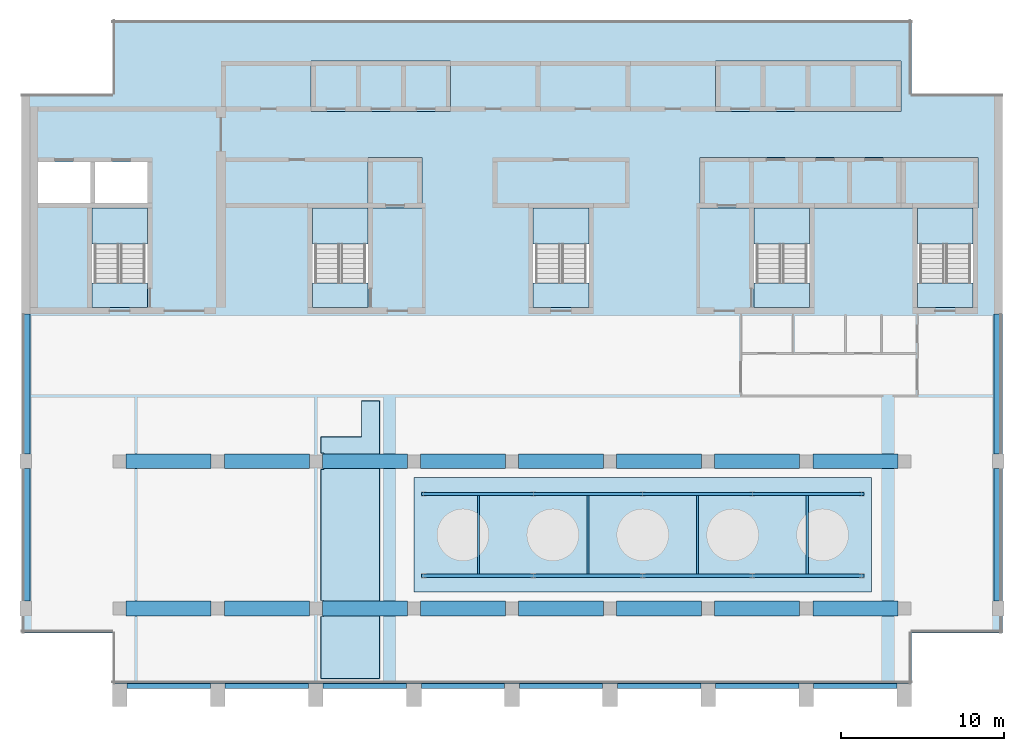
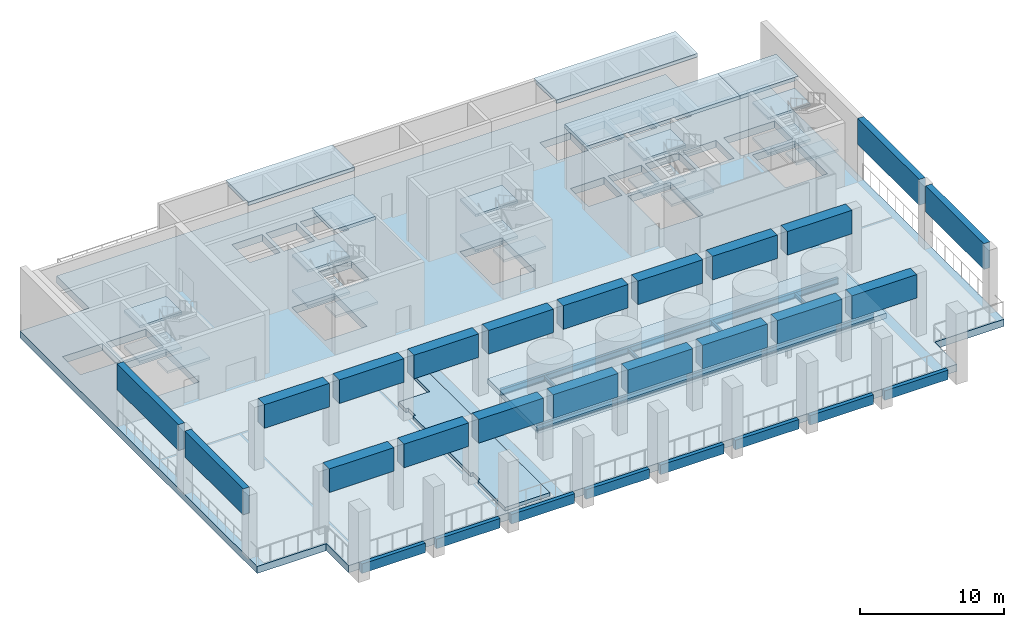
# One storey, part 3 of 11: 34 beams, 23 slabs, 5 elements without a shape of their own.
"""IFC4 building model written with IfcOpenShell, lengths in metres."""

import ifcopenshell
import ifcopenshell.guid

model = None  # the IFC model being written
_history = None  # IfcOwnerHistory: only IFC2X3 demands one
_inside = {}  # id of a spatial element -> (the spatial element, [elements in it])
_under = {}  # id of a project, library or spatial element -> (it, [spatial elements below it])
_declared = {}  # id of a project -> (the project, [libraries it declares])
_typed = {}  # id of a type object -> (the type object, [elements of that type])
_made_of = {}  # id of a material, layer set ... -> (it, [elements and type objects made of it])


def new_model(schema):
    """Start an empty IFC model of exactly this schema.

    Asked for "IFC4X3", IfcOpenShell would pick the latest addendum, in which some entities
    have other attributes; the version numbers below select the first issue.
    IFC2X3 requires an IfcOwnerHistory on every rooted entity: one is made here for all.
    """
    global model, _history
    if schema == "IFC4X3":
        model = ifcopenshell.file(schema_version=(4, 3, 0, 0))
    else:
        model = ifcopenshell.file(schema=schema)
    _inside.clear()
    _under.clear()
    _declared.clear()
    _typed.clear()
    _made_of.clear()
    _history = None
    if model.schema == "IFC2X3":
        org = make("IfcOrganization", Name="unknown")
        user = make(
            "IfcPersonAndOrganization",
            ThePerson=make("IfcPerson", FamilyName="unknown"),
            TheOrganization=org,
        )
        app = make(
            "IfcApplication",
            ApplicationDeveloper=org,
            Version="unknown",
            ApplicationFullName="unknown",
            ApplicationIdentifier="unknown",
        )
        _history = make(
            "IfcOwnerHistory",
            OwningUser=user,
            OwningApplication=app,
            ChangeAction="ADDED",
            CreationDate=0,
        )
    return model


def make(cls, **values):
    """One entity of the class cls with the attributes given. An attribute that is None is left unset."""
    return model.create_entity(
        cls, **{name: value for name, value in values.items() if value is not None}
    )


def rooted(cls, **values):
    """An entity with a GlobalId (a new one), such as an element, a storey or a relation."""
    return make(cls, GlobalId=ifcopenshell.guid.new(), OwnerHistory=_history, **values)


def si_unit(unit_type, name, prefix=None):
    """IfcSIUnit, for example si_unit("LENGTHUNIT", "METRE", prefix="MILLI")."""
    return make("IfcSIUnit", UnitType=unit_type, Prefix=prefix, Name=name)


def assignment(units):
    """IfcUnitAssignment: the units of a project."""
    return None if units is None else make("IfcUnitAssignment", Units=units)


def point(xyz):
    """IfcCartesianPoint."""
    return None if xyz is None else make("IfcCartesianPoint", Coordinates=xyz)


def direction(xyz):
    """IfcDirection."""
    return None if xyz is None else make("IfcDirection", DirectionRatios=xyz)


def frame(location, z_axis=None, x_axis=None):
    """IfcAxis2Placement3D, a coordinate frame: its origin and axes. An axis left out is left unset."""
    return make(
        "IfcAxis2Placement3D",
        Location=point(location),
        Axis=direction(z_axis),
        RefDirection=direction(x_axis),
    )


def frame_2d(location, x_axis=None):
    """IfcAxis2Placement2D, a coordinate frame in the plane: its origin and x axis."""
    return make(
        "IfcAxis2Placement2D", Location=point(location), RefDirection=direction(x_axis)
    )


def origin():
    """The frame at (0, 0, 0) with its axes left unset."""
    return frame((0.0, 0.0, 0.0))


def origin_2d():
    """The frame at (0, 0) in the plane with its x axis left unset."""
    return frame_2d((0.0, 0.0))


def place(relative_to, where):
    """IfcLocalPlacement: puts the frame where relative to a parent placement (None: the world)."""
    return make(
        "IfcLocalPlacement", PlacementRelTo=relative_to, RelativePlacement=where
    )


def context(
    kind, dimensions, precision=None, world=None, true_north=None, identifier=None
):
    """IfcGeometricRepresentationContext, for example the 3D "Model" context."""
    return make(
        "IfcGeometricRepresentationContext",
        ContextIdentifier=identifier,
        ContextType=kind,
        CoordinateSpaceDimension=dimensions,
        Precision=precision,
        WorldCoordinateSystem=world,
        TrueNorth=true_north,
    )


def subcontext(parent, identifier, kind, view, scale=None):
    """IfcGeometricRepresentationSubContext, for example "Body" below "Model"."""
    return make(
        "IfcGeometricRepresentationSubContext",
        ContextIdentifier=identifier,
        ContextType=kind,
        ParentContext=parent,
        TargetScale=scale,
        TargetView=view,
    )


def project(units=None, contexts=None):
    """IfcProject with its units and contexts."""
    return rooted(
        "IfcProject",
        Name="project",
        RepresentationContexts=contexts,
        UnitsInContext=assignment(units),
    )


def spatial(cls, under=None, at=None, **own):
    """A site, building, storey or space (cls), placed at a placement, below another one or the project."""
    s = rooted(cls, ObjectPlacement=at, **own)
    if under is not None:
        _under.setdefault(under.id(), (under, []))[1].append(s)
    return s


def polyline(points):
    """IfcPolyline through the points."""
    return make("IfcPolyline", Points=[point(p) for p in points])


def profile(cls, at=None, kind="AREA", **sizes):
    """A parametric profile (cls). Its sizes go by their IFC names, for example OverallWidth=200.0."""
    return make(cls, ProfileType=kind, Position=at, **sizes)


def rectangle(**sizes):
    """IfcRectangleProfileDef."""
    return profile("IfcRectangleProfileDef", **sizes)


def i_section(**sizes):
    """IfcIShapeProfileDef."""
    return profile("IfcIShapeProfileDef", **sizes)


def outline(outer, holes=None, kind="AREA"):
    """IfcArbitraryClosedProfileDef: a profile drawn as a closed curve; with holes, ...WithVoids."""
    if holes is None:
        return make("IfcArbitraryClosedProfileDef", ProfileType=kind, OuterCurve=outer)
    return make(
        "IfcArbitraryProfileDefWithVoids",
        ProfileType=kind,
        OuterCurve=outer,
        InnerCurves=holes,
    )


def extrude(swept, where, along, depth):
    """IfcExtrudedAreaSolid: the profile swept, set in the frame where, extruded along a direction by depth."""
    return make(
        "IfcExtrudedAreaSolid",
        SweptArea=swept,
        Position=where,
        ExtrudedDirection=direction(along),
        Depth=depth,
    )


def shape(context_of_items, identifier, shape_type, items):
    """IfcShapeRepresentation: the items that make up one representation, for example the "Body"."""
    return make(
        "IfcShapeRepresentation",
        ContextOfItems=context_of_items,
        RepresentationIdentifier=identifier,
        RepresentationType=shape_type,
        Items=items,
    )


def material(Name=None, Category=None):
    """IfcMaterial."""
    return make("IfcMaterial", Name=Name, Category=Category)


def layer(
    of_material, thickness, ventilated=None, Name=None, Category=None, Priority=None
):
    """IfcMaterialLayer: one layer of a wall or slab, of a material (None: an air gap)."""
    return make(
        "IfcMaterialLayer",
        Material=of_material,
        LayerThickness=thickness,
        IsVentilated=ventilated,
        Name=Name,
        Category=Category,
        Priority=Priority,
    )


def layer_set(layers, Name=None):
    """IfcMaterialLayerSet."""
    return make("IfcMaterialLayerSet", MaterialLayers=layers, LayerSetName=Name)


def material_profile(
    of_material, cross_section, Name=None, Category=None, Priority=None
):
    """IfcMaterialProfile: a cross section and its material."""
    return make(
        "IfcMaterialProfile",
        Name=Name,
        Material=of_material,
        Profile=cross_section,
        Priority=Priority,
        Category=Category,
    )


def profile_set(profiles, Name=None, composite=None):
    """IfcMaterialProfileSet."""
    return make(
        "IfcMaterialProfileSet",
        Name=Name,
        MaterialProfiles=profiles,
        CompositeProfile=composite,
    )


def made_of(thing, what):
    """Note that an element or type object is made of a material, layer set ...; save() writes the relation."""
    if what is not None:
        _made_of.setdefault(what.id(), (what, []))[1].append(thing)
    return thing


def type_object(cls, material=None, **own):
    """A type object (cls), such as IfcWallType, which elements share."""
    return made_of(rooted(cls, **own), material)


def element(
    cls,
    number,
    at=None,
    inside=None,
    cuts=None,
    type_object=None,
    material=None,
    context=None,
    identifier="Body",
    shape_type=None,
    held_by="IfcProductDefinitionShape",
    body=None,
    shapes=None,
    **own,
):
    """One element of the class cls, such as IfcWall. Its Tag is "e" and its number.

    at: its placement. inside: the storey or other place that contains it. cuts: it is an
    opening in that element (IfcRelVoidsElement). A single representation is given by context,
    identifier, shape_type and body (its items); several are given by shapes. held_by: the class
    of the entity that holds the representations. save() writes the other relations.
    """
    e = rooted(cls, Tag="e%d" % number, ObjectPlacement=at, **own)
    if body is not None:
        shapes = [shape(context, identifier, shape_type, body)]
    if shapes is not None:
        e.Representation = make(held_by, Representations=shapes)
    if inside is not None:
        _inside.setdefault(inside.id(), (inside, []))[1].append(e)
    if cuts is not None:
        rooted(
            "IfcRelVoidsElement", RelatingBuildingElement=cuts, RelatedOpeningElement=e
        )
    if type_object is not None:
        _typed.setdefault(type_object.id(), (type_object, []))[1].append(e)
    return made_of(e, material)


def aggregate(whole, parts):
    """IfcRelAggregates: a whole, such as a stair, and the parts it consists of."""
    return rooted("IfcRelAggregates", RelatingObject=whole, RelatedObjects=parts)


def save(model, path):
    """Write the relations noted so far, then the file.

    IfcRelAggregates (storeys below a building ...), IfcRelContainedInSpatialStructure (elements
    in a storey), IfcRelDefinesByType, IfcRelAssociatesMaterial and IfcRelDeclares: one each for
    every whole, place, type object, material and project.
    """
    for whole, parts in _under.values():
        aggregate(whole, parts)
    for where, things in _inside.values():
        rooted(
            "IfcRelContainedInSpatialStructure",
            RelatedElements=things,
            RelatingStructure=where,
        )
    for kind, things in _typed.values():
        rooted("IfcRelDefinesByType", RelatedObjects=things, RelatingType=kind)
    for what, things in _made_of.values():
        rooted("IfcRelAssociatesMaterial", RelatedObjects=things, RelatingMaterial=what)
    for by, libraries in _declared.values():
        rooted("IfcRelDeclares", RelatingContext=by, RelatedDefinitions=libraries)
    model.write(path)


model = new_model("IFC4")

# Units and contexts
model_context = context("Model", 3, precision=1e-05, world=origin(), true_north=direction((0.0, 1.0)))
body_context = subcontext(model_context, "Body", "Model", "MODEL_VIEW")
ifc_project = project(units=[si_unit("LENGTHUNIT", "METRE"), si_unit("AREAUNIT", "SQUARE_METRE"), si_unit("VOLUMEUNIT", "CUBIC_METRE"), si_unit("PLANEANGLEUNIT", "RADIAN"), si_unit("MASSUNIT", "GRAM", prefix="KILO")], contexts=[model_context])

# Site, building, storey
site_placement = place(None, origin())
site = spatial("IfcSite", under=ifc_project, at=site_placement, CompositionType="ELEMENT")
building_placement = place(site_placement, origin())
building = spatial("IfcBuilding", under=site, at=building_placement, Name="Calvaro Tower", CompositionType="ELEMENT")
storey_placement = place(building_placement, frame((0.0, 0.0, 265.949951171875)))
storey = spatial("IfcBuildingStorey", under=building, at=storey_placement, Name="L67", CompositionType="ELEMENT", Elevation=265.949951171875)

# Beams
ifc_material_1 = material(Name="Concrete C60/75", Category="concrete")
ifc_material_profile_1 = material_profile(ifc_material_1, rectangle(XDim=0.89990234375, YDim=2.0, at=origin_2d()), Name="RC 900x2000")
ifc_profile_set_1 = profile_set([ifc_material_profile_1], Name="Concrete C60/75")
beam_type_1 = type_object("IfcBeamType", Name="Drum girder 900x2000 C60/75", PredefinedType="BEAM", material=ifc_profile_set_1)
for number, where, z_axis, x_axis, name in (
    (1, (12.39990234375, 10.0, 4.400146484375), (1.0, 0.0, 0.0), (0.0, 1.0, 0.0), "Drum girder"),
    (2, (18.39990234375, 10.0, 4.400146484375), (1.0, 0.0, 0.0), (0.0, 1.0, 0.0), "Drum girder"),
    (3, (24.39990234375, 10.0, 4.400146484375), (1.0, 0.0, 0.0), (0.0, 1.0, 0.0), "Drum girder"),
    (4, (30.39990234375, 10.0, 4.400146484375), (1.0, 0.0, 0.0), (0.0, 1.0, 0.0), "Drum girder"),
    (5, (36.39990234375, 10.0, 4.400146484375), (1.0, 0.0, 0.0), (0.0, 1.0, 0.0), "Drum girder"),
    (6, (42.39990234375, 10.0, 4.400146484375), (1.0, 0.0, 0.0), (0.0, 1.0, 0.0), "Drum girder"),
    (7, (48.39990234375, 10.0, 4.400146484375), (1.0, 0.0, 0.0), (0.0, 1.0, 0.0), "Drum girder"),
    (8, (54.39990234375, 10.0, 4.400146484375), (1.0, 0.0, 0.0), (0.0, 1.0, 0.0), "Drum girder"),
    (9, (12.39990234375, 19.0, 4.400146484375), (1.0, 0.0, 0.0), (0.0, 1.0, 0.0), "Drum girder"),
    (10, (18.39990234375, 19.0, 4.400146484375), (1.0, 0.0, 0.0), (0.0, 1.0, 0.0), "Drum girder"),
    (11, (24.39990234375, 19.0, 4.400146484375), (1.0, 0.0, 0.0), (0.0, 1.0, 0.0), "Drum girder"),
    (12, (30.39990234375, 19.0, 4.400146484375), (1.0, 0.0, 0.0), (0.0, 1.0, 0.0), "Drum girder"),
    (13, (36.39990234375, 19.0, 4.400146484375), (1.0, 0.0, 0.0), (0.0, 1.0, 0.0), "Drum girder"),
    (14, (42.39990234375, 19.0, 4.400146484375), (1.0, 0.0, 0.0), (0.0, 1.0, 0.0), "Drum girder"),
    (15, (48.39990234375, 19.0, 4.400146484375), (1.0, 0.0, 0.0), (0.0, 1.0, 0.0), "Drum girder"),
    (16, (54.39990234375, 19.0, 4.400146484375), (1.0, 0.0, 0.0), (0.0, 1.0, 0.0), "Drum girder"),
):
    element("IfcBeam", number, at=place(storey_placement, frame(where, z_axis=z_axis, x_axis=x_axis)), inside=storey, type_object=beam_type_1, Name=name, PredefinedType="BEAM", context=body_context, shape_type="SweptSolid", body=[
        extrude(rectangle(XDim=0.89990234375, YDim=2.0, at=origin_2d()), origin(), (0.0, 0.0, 1.0), 5.2001953125),
    ])
ifc_material_2 = material(Name="Steel S355", Category="steel")
ifc_material_profile_2 = material_profile(ifc_material_2, i_section(OverallWidth=0.14990234375, OverallDepth=0.300048828125, WebThickness=0.007080078125, FlangeThickness=0.0107421875, FilletRadius=0.014892578125, at=origin_2d()), Name="IPE 300")
ifc_profile_set_2 = profile_set([ifc_material_profile_2], Name="Steel S355")
beam_type_2 = type_object("IfcBeamType", Name="Platform cross beam IPE 300", PredefinedType="BEAM", material=ifc_profile_set_2)
for number, where, z_axis, x_axis, name in (
    (17, (33.949951171875, 12.10009765625, 1.199951171875), (0.0, 1.0, 0.0), (-1.0, 0.0, 0.0), "Platform cross beam"),
    (18, (40.64990234375, 12.10009765625, 1.199951171875), (0.0, 1.0, 0.0), (-1.0, 0.0, 0.0), "Platform cross beam"),
    (19, (47.35009765625, 12.10009765625, 1.199951171875), (0.0, 1.0, 0.0), (-1.0, 0.0, 0.0), "Platform cross beam"),
    (20, (54.050048828125, 12.10009765625, 1.199951171875), (0.0, 1.0, 0.0), (-1.0, 0.0, 0.0), "Platform cross beam"),
):
    element("IfcBeam", number, at=place(storey_placement, frame(where, z_axis=z_axis, x_axis=x_axis)), inside=storey, type_object=beam_type_2, Name=name, PredefinedType="BEAM", context=body_context, shape_type="SweptSolid", body=[
        extrude(i_section(OverallWidth=0.14990234375, OverallDepth=0.300048828125, WebThickness=0.007080078125, FlangeThickness=0.0107421875, FilletRadius=0.014892578125, at=origin_2d()), origin(), (0.0, 0.0, 1.0), 4.7998046875),
    ])
ifc_material_3 = material(Name="Steel S355", Category="steel")
ifc_material_profile_3 = material_profile(ifc_material_3, i_section(OverallWidth=0.199951171875, OverallDepth=0.5, WebThickness=0.01025390625, FlangeThickness=0.01611328125, FilletRadius=0.02099609375, at=origin_2d()), Name="IPE 500")
ifc_profile_set_3 = profile_set([ifc_material_profile_3], Name="Steel S355")
beam_type_3 = type_object("IfcBeamType", Name="Platform girder IPE 500", PredefinedType="BEAM", material=ifc_profile_set_3)
for number, where, z_axis, x_axis, name in (
    (21, (30.449951171875, 12.0, 1.10009765625), (1.0, 0.0, 0.0), (0.0, 1.0, 0.0), "Platform girder"),
    (22, (30.449951171875, 17.0, 1.10009765625), (1.0, 0.0, 0.0), (0.0, 1.0, 0.0), "Platform girder"),
):
    element("IfcBeam", number, at=place(storey_placement, frame(where, z_axis=z_axis, x_axis=x_axis)), inside=storey, type_object=beam_type_3, Name=name, PredefinedType="BEAM", context=body_context, shape_type="SweptSolid", body=[
        extrude(i_section(OverallWidth=0.199951171875, OverallDepth=0.5, WebThickness=0.01025390625, FlangeThickness=0.01611328125, FilletRadius=0.02099609375, at=origin_2d()), origin(), (0.0, 0.0, 1.0), 27.10009765625),
    ])
ifc_material_4 = material(Name="Concrete C60/75", Category="concrete")
ifc_material_profile_4 = material_profile(ifc_material_4, rectangle(XDim=0.5, YDim=2.199951171875, at=origin_2d()), Name="RC 500x2200")
ifc_profile_set_4 = profile_set([ifc_material_profile_4], Name="Concrete C60/75")
beam_type_4 = type_object("IfcBeamType", Name="Portal lintel 500x2200 C60/75", PredefinedType="BEAM", material=ifc_profile_set_4)
beam_1_placement = place(storey_placement, frame((6.25, 10.449951171875, 4.300048828125), z_axis=(0.0, 1.0, 0.0), x_axis=(-1.0, 0.0, 0.0)))
element("IfcBeam", 23, at=beam_1_placement, inside=storey, type_object=beam_type_4, Name="Portal lintel beam", PredefinedType="BEAM", context=body_context, shape_type="SweptSolid", body=[
    extrude(rectangle(XDim=0.5, YDim=2.199951171875, at=origin_2d()), origin(), (0.0, 0.0, 1.0), 8.10009765625),
])
beam_2_placement = place(storey_placement, frame((6.25, 19.449951171875, 4.300048828125), z_axis=(0.0, 1.0, 0.0), x_axis=(-1.0, 0.0, 0.0)))
element("IfcBeam", 24, at=beam_2_placement, inside=storey, type_object=beam_type_4, Name="Portal lintel beam", PredefinedType="BEAM", context=body_context, shape_type="SweptSolid", body=[
    extrude(rectangle(XDim=0.5, YDim=2.199951171875, at=origin_2d()), origin(), (0.0, 0.0, 1.0), 8.550048828125),
])
beam_3_placement = place(storey_placement, frame((65.75, 10.449951171875, 4.300048828125), z_axis=(0.0, 1.0, 0.0), x_axis=(-1.0, 0.0, 0.0)))
element("IfcBeam", 25, at=beam_3_placement, inside=storey, type_object=beam_type_4, Name="Portal lintel beam", PredefinedType="BEAM", context=body_context, shape_type="SweptSolid", body=[
    extrude(rectangle(XDim=0.5, YDim=2.199951171875, at=origin_2d()), origin(), (0.0, 0.0, 1.0), 8.10009765625),
])
beam_4_placement = place(storey_placement, frame((65.75, 19.449951171875, 4.300048828125), z_axis=(0.0, 1.0, 0.0), x_axis=(-1.0, 0.0, 0.0)))
element("IfcBeam", 26, at=beam_4_placement, inside=storey, type_object=beam_type_4, Name="Portal lintel beam", PredefinedType="BEAM", context=body_context, shape_type="SweptSolid", body=[
    extrude(rectangle(XDim=0.5, YDim=2.199951171875, at=origin_2d()), origin(), (0.0, 0.0, 1.0), 8.550048828125),
])
ifc_material_5 = material(Name="Concrete C50/60 precast", Category="concrete")
ifc_material_profile_5 = material_profile(ifc_material_5, rectangle(XDim=0.300048828125, YDim=0.800048828125, at=origin_2d()), Name="RC 300x800")
ifc_profile_set_5 = profile_set([ifc_material_profile_5], Name="Concrete C50/60 precast")
beam_type_5 = type_object("IfcBeamType", Name="Spandrel beam 300x800 C50/60", PredefinedType="SPANDREL", material=ifc_profile_set_5)
for number, where, z_axis, x_axis, name in (
    (27, (12.449951171875, 5.25, -0.39990234375), (1.0, 0.0, 0.0), (0.0, 1.0, 0.0), "Spandrel beam"),
    (28, (18.449951171875, 5.25, -0.39990234375), (1.0, 0.0, 0.0), (0.0, 1.0, 0.0), "Spandrel beam"),
    (29, (24.449951171875, 5.25, -0.39990234375), (1.0, 0.0, 0.0), (0.0, 1.0, 0.0), "Spandrel beam"),
    (30, (30.449951171875, 5.25, -0.39990234375), (1.0, 0.0, 0.0), (0.0, 1.0, 0.0), "Spandrel beam"),
    (31, (36.449951171875, 5.25, -0.39990234375), (1.0, 0.0, 0.0), (0.0, 1.0, 0.0), "Spandrel beam"),
    (32, (42.449951171875, 5.25, -0.39990234375), (1.0, 0.0, 0.0), (0.0, 1.0, 0.0), "Spandrel beam"),
    (33, (48.449951171875, 5.25, -0.39990234375), (1.0, 0.0, 0.0), (0.0, 1.0, 0.0), "Spandrel beam"),
    (34, (54.449951171875, 5.25, -0.39990234375), (1.0, 0.0, 0.0), (0.0, 1.0, 0.0), "Spandrel beam"),
):
    element("IfcBeam", number, at=place(storey_placement, frame(where, z_axis=z_axis, x_axis=x_axis)), inside=storey, type_object=beam_type_5, Name=name, PredefinedType="SPANDREL", context=body_context, shape_type="SweptSolid", body=[
        extrude(rectangle(XDim=0.300048828125, YDim=0.800048828125, at=origin_2d()), origin(), (0.0, 0.0, 1.0), 5.10009765625),
    ])

# Slabs
ifc_material_6 = material(Name="Concrete C40/50", Category="concrete")
ifc_layer_1 = layer(ifc_material_6, 0.60009765625)
ifc_layer_set_1 = layer_set([ifc_layer_1], Name="Concrete C40/50")
slab_type_1 = type_object("IfcSlabType", Name="Floor slab 600 C40/50", PredefinedType="FLOOR", material=ifc_layer_set_1)
slab_1_placement = place(storey_placement, frame((0.0, 0.0, -0.599853515625)))
element("IfcSlab", 35, at=slab_1_placement, inside=storey, type_object=slab_type_1, Name="Floor slab", PredefinedType="FLOOR", context=body_context, shape_type="SweptSolid", body=[
    extrude(outline(polyline([(60.449951171875, 8.5), (60.449951171875, 5.39990234375), (11.550048828125, 5.39990234375), (11.550048828125, 8.5), (6.0, 8.5), (6.0, 41.5), (11.550048828125, 41.5), (11.550048828125, 46.0), (60.449951171875, 46.0), (60.449951171875, 41.5), (66.0, 41.5), (66.0, 8.5), (60.449951171875, 8.5)]), holes=[polyline([(10.300048828125, 29.909912109375), (10.300048828125, 34.5), (12.0, 34.5), (13.699951171875, 34.5), (13.699951171875, 29.909912109375), (12.0, 29.909912109375), (10.300048828125, 29.909912109375)]), polyline([(23.800048828125, 29.909912109375), (23.800048828125, 34.5), (25.5, 34.5), (27.199951171875, 34.5), (27.199951171875, 29.909912109375), (25.5, 29.909912109375), (23.800048828125, 29.909912109375)]), polyline([(37.300048828125, 29.909912109375), (37.300048828125, 34.5), (39.0, 34.5), (40.699951171875, 34.5), (40.699951171875, 29.909912109375), (39.0, 29.909912109375), (37.300048828125, 29.909912109375)]), polyline([(50.800048828125, 29.909912109375), (50.800048828125, 34.5), (52.5, 34.5), (54.199951171875, 34.5), (54.199951171875, 29.909912109375), (52.5, 29.909912109375), (50.800048828125, 29.909912109375)]), polyline([(60.800048828125, 29.909912109375), (60.800048828125, 34.5), (62.5, 34.5), (64.199951171875, 34.5), (64.199951171875, 29.909912109375), (62.5, 29.909912109375), (60.800048828125, 29.909912109375)]), polyline([(50.800048828125, 34.800048828125), (53.5, 34.800048828125), (53.5, 37.300048828125), (50.800048828125, 37.300048828125), (50.800048828125, 34.800048828125)]), polyline([(53.800048828125, 34.800048828125), (56.5, 34.800048828125), (56.5, 37.300048828125), (53.800048828125, 37.300048828125), (53.800048828125, 34.800048828125)]), polyline([(56.800048828125, 34.800048828125), (59.5, 34.800048828125), (59.5, 37.300048828125), (56.800048828125, 37.300048828125), (56.800048828125, 34.800048828125)]), polyline([(24.0, 40.699951171875), (26.449951171875, 40.699951171875), (26.449951171875, 43.199951171875), (24.0, 43.199951171875), (24.0, 40.699951171875)]), polyline([(26.75, 40.699951171875), (29.199951171875, 40.699951171875), (29.199951171875, 43.199951171875), (26.75, 43.199951171875), (26.75, 40.699951171875)]), polyline([(29.5, 40.699951171875), (31.949951171875, 40.699951171875), (31.949951171875, 43.199951171875), (29.5, 43.199951171875), (29.5, 40.699951171875)]), polyline([(48.75, 40.699951171875), (51.199951171875, 40.699951171875), (51.199951171875, 43.199951171875), (48.75, 43.199951171875), (48.75, 40.699951171875)]), polyline([(51.5, 40.699951171875), (53.949951171875, 40.699951171875), (53.949951171875, 43.199951171875), (51.5, 43.199951171875), (51.5, 40.699951171875)]), polyline([(54.25, 40.699951171875), (56.699951171875, 40.699951171875), (56.699951171875, 43.199951171875), (54.25, 43.199951171875), (54.25, 40.699951171875)]), polyline([(57.0, 40.699951171875), (59.5, 40.699951171875), (59.5, 43.199951171875), (57.0, 43.199951171875), (57.0, 40.699951171875)]), polyline([(7.0, 34.800048828125), (10.199951171875, 34.800048828125), (10.199951171875, 37.300048828125), (7.0, 37.300048828125), (7.0, 34.800048828125)]), polyline([(10.5, 34.800048828125), (13.699951171875, 34.800048828125), (13.699951171875, 37.300048828125), (10.5, 37.300048828125), (10.5, 34.800048828125)]), polyline([(60.10009765625, 34.800048828125), (64.199951171875, 34.800048828125), (64.199951171875, 37.300048828125), (60.10009765625, 37.300048828125), (60.10009765625, 34.800048828125)]), polyline([(27.5, 34.800048828125), (30.199951171875, 34.800048828125), (30.199951171875, 37.300048828125), (27.5, 37.300048828125), (27.5, 34.800048828125)]), polyline([(47.800048828125, 34.800048828125), (50.5, 34.800048828125), (50.5, 37.300048828125), (47.800048828125, 37.300048828125), (47.800048828125, 34.800048828125)])]), origin(), (0.0, 0.0, 1.0), 0.599853515625),
])
ifc_material_7 = material(Name="Concrete C40/50", Category="concrete")
ifc_layer_2 = layer(ifc_material_7, 0.300048828125)
ifc_layer_set_2 = layer_set([ifc_layer_2], Name="Concrete C40/50")
slab_type_2 = type_object("IfcSlabType", Name="Lift overrun roof", PredefinedType="ROOF", material=ifc_layer_set_2)
slab_2_placement = place(storey_placement, frame((0.0, 0.0, 5.10009765625)))
element("IfcSlab", 36, at=slab_2_placement, inside=storey, type_object=slab_type_2, Name="Lift overrun roof", PredefinedType="ROOF", context=body_context, shape_type="SweptSolid", body=[
    extrude(outline(polyline([(59.800048828125, 37.60009765625), (64.5, 37.60009765625), (64.5, 34.5), (59.800048828125, 34.5), (59.800048828125, 37.60009765625)])), origin(), (0.0, 0.0, 1.0), 0.300048828125),
])
slab_3_placement = place(storey_placement, frame((0.0, 0.0, 5.10009765625)))
element("IfcSlab", 37, at=slab_3_placement, inside=storey, type_object=slab_type_2, Name="Lift overrun roof", PredefinedType="ROOF", context=body_context, shape_type="SweptSolid", body=[
    extrude(outline(polyline([(59.800048828125, 34.5), (50.800048828125, 34.5), (50.5, 34.5), (47.5, 34.5), (47.5, 37.60009765625), (50.5, 37.60009765625), (50.800048828125, 37.60009765625), (59.800048828125, 37.60009765625), (59.800048828125, 34.5)])), origin(), (0.0, 0.0, 1.0), 0.300048828125),
])
slab_4_placement = place(storey_placement, frame((0.0, 0.0, 5.10009765625)))
element("IfcSlab", 38, at=slab_4_placement, inside=storey, type_object=slab_type_2, Name="Lift overrun roof", PredefinedType="ROOF", context=body_context, shape_type="SweptSolid", body=[
    extrude(outline(polyline([(59.800048828125, 43.5), (59.800048828125, 40.39990234375), (48.449951171875, 40.39990234375), (48.449951171875, 43.5), (59.800048828125, 43.5)])), origin(), (0.0, 0.0, 1.0), 0.300048828125),
])
slab_5_placement = place(storey_placement, frame((0.0, 0.0, 5.10009765625)))
element("IfcSlab", 39, at=slab_5_placement, inside=storey, type_object=slab_type_2, Name="Lift overrun roof", PredefinedType="ROOF", context=body_context, shape_type="SweptSolid", body=[
    extrude(outline(polyline([(32.25, 43.5), (32.25, 40.39990234375), (23.699951171875, 40.39990234375), (23.699951171875, 43.5), (32.25, 43.5)])), origin(), (0.0, 0.0, 1.0), 0.300048828125),
])
slab_6_placement = place(storey_placement, frame((0.0, 0.0, 5.10009765625)))
element("IfcSlab", 40, at=slab_6_placement, inside=storey, type_object=slab_type_2, Name="Lift overrun roof", PredefinedType="ROOF", context=body_context, shape_type="SweptSolid", body=[
    extrude(outline(polyline([(27.199951171875, 37.60009765625), (30.5, 37.60009765625), (30.5, 34.5), (27.199951171875, 34.5), (27.199951171875, 37.60009765625)])), origin(), (0.0, 0.0, 1.0), 0.300048828125),
])
ifc_material_8 = material(Name="Concrete C32/40", Category="concrete")
ifc_layer_3 = layer(ifc_material_8, 0.300048828125)
ifc_layer_set_3 = layer_set([ifc_layer_3], Name="Concrete C32/40")
slab_type_3 = type_object("IfcSlabType", Name="Raised floor slab", PredefinedType="FLOOR", material=ifc_layer_set_3)
slab_7_placement = place(storey_placement, origin())
element("IfcSlab", 41, at=slab_7_placement, inside=storey, type_object=slab_type_3, Name="Observation step", PredefinedType="FLOOR", context=body_context, shape_type="SweptSolid", body=[
    extrude(outline(polyline([(27.89990234375, 5.699951171875), (24.300048828125, 5.699951171875), (24.300048828125, 9.5), (24.5, 9.5), (24.5, 10.5), (24.300048828125, 10.5), (24.300048828125, 18.5), (24.5, 18.5), (24.5, 19.5), (24.300048828125, 19.5), (24.300048828125, 20.5), (26.800048828125, 20.5), (26.800048828125, 22.699951171875), (27.89990234375, 22.699951171875), (27.89990234375, 5.699951171875)])), origin(), (0.0, 0.0, 1.0), 0.300048828125),
])

# Stair, slabs
ifc_material_9 = material(Name="Concrete C40/50", Category="concrete")
stair_type = type_object("IfcStairType", Name="Exit stair 1400 4 flights", PredefinedType="DOUBLE_RETURN_STAIR", material=ifc_material_9)
stair_1_placement = place(storey_placement, origin())
stair_1 = element("IfcStair", 42, at=stair_1_placement, inside=storey, type_object=stair_type, Name="Exit stair S1", PredefinedType="DOUBLE_RETURN_STAIR")
ifc_material_10 = material(Name="Concrete C40/50", Category="concrete")
ifc_layer_4 = layer(ifc_material_10, 0.199951171875)
ifc_layer_set_4 = layer_set([ifc_layer_4], Name="Concrete C40/50")
slab_type_4 = type_object("IfcSlabType", Name="Stair landing", PredefinedType="LANDING", material=ifc_layer_set_4)
slab_8_placement = place(storey_placement, frame((0.0, 0.0, 1.300048828125)))
slab_8 = element("IfcSlab", 43, at=slab_8_placement, type_object=slab_type_4, Name="Exit stair 1, landing 1", PredefinedType="LANDING", context=body_context, shape_type="SweptSolid", body=[
    extrude(outline(polyline([(11.89990234375, 32.2900390625), (10.5, 32.2900390625), (10.5, 32.300048828125), (10.300048828125, 32.300048828125), (10.300048828125, 34.5), (10.5, 34.5), (11.89990234375, 34.5), (12.10009765625, 34.5), (13.5, 34.5), (13.699951171875, 34.5), (13.699951171875, 32.300048828125), (13.5, 32.300048828125), (13.5, 32.2900390625), (12.10009765625, 32.2900390625), (12.10009765625, 32.300048828125), (11.89990234375, 32.300048828125), (11.89990234375, 32.2900390625)])), origin(), (0.0, 0.0, 1.0), 0.199951171875),
])
slab_9_placement = place(storey_placement, frame((0.0, 0.0, 2.800048828125)))
slab_9 = element("IfcSlab", 44, at=slab_9_placement, type_object=slab_type_4, Name="Exit stair 1, landing 2", PredefinedType="LANDING", context=body_context, shape_type="SweptSolid", body=[
    extrude(outline(polyline([(13.699951171875, 29.909912109375), (13.699951171875, 28.39990234375), (10.300048828125, 28.39990234375), (10.300048828125, 29.909912109375), (10.5, 29.909912109375), (11.89990234375, 29.909912109375), (13.699951171875, 29.909912109375)])), origin(), (0.0, 0.0, 1.0), 0.199951171875),
])
slab_10_placement = place(storey_placement, frame((0.0, 0.0, 4.300048828125)))
slab_10 = element("IfcSlab", 45, at=slab_10_placement, type_object=slab_type_4, Name="Exit stair 1, landing 3", PredefinedType="LANDING", context=body_context, shape_type="SweptSolid", body=[
    extrude(outline(polyline([(11.89990234375, 32.2900390625), (10.5, 32.2900390625), (10.5, 32.300048828125), (10.300048828125, 32.300048828125), (10.300048828125, 34.5), (10.5, 34.5), (11.89990234375, 34.5), (12.10009765625, 34.5), (13.5, 34.5), (13.699951171875, 34.5), (13.699951171875, 32.300048828125), (13.5, 32.300048828125), (13.5, 32.2900390625), (12.10009765625, 32.2900390625), (12.10009765625, 32.300048828125), (11.89990234375, 32.300048828125), (11.89990234375, 32.2900390625)])), origin(), (0.0, 0.0, 1.0), 0.199951171875),
])
aggregate(stair_1, [slab_8, slab_9, slab_10])

stair_2_placement = place(storey_placement, origin())
stair_2 = element("IfcStair", 46, at=stair_2_placement, inside=storey, type_object=stair_type, Name="Exit stair S2", PredefinedType="DOUBLE_RETURN_STAIR")
slab_11_placement = place(storey_placement, frame((0.0, 0.0, 1.300048828125)))
slab_11 = element("IfcSlab", 47, at=slab_11_placement, type_object=slab_type_4, Name="Exit stair 2, landing 1", PredefinedType="LANDING", context=body_context, shape_type="SweptSolid", body=[
    extrude(outline(polyline([(25.39990234375, 32.2900390625), (24.0, 32.2900390625), (24.0, 32.300048828125), (23.800048828125, 32.300048828125), (23.800048828125, 34.5), (24.0, 34.5), (25.39990234375, 34.5), (25.60009765625, 34.5), (27.0, 34.5), (27.199951171875, 34.5), (27.199951171875, 32.300048828125), (27.0, 32.300048828125), (27.0, 32.2900390625), (25.60009765625, 32.2900390625), (25.60009765625, 32.300048828125), (25.39990234375, 32.300048828125), (25.39990234375, 32.2900390625)])), origin(), (0.0, 0.0, 1.0), 0.199951171875),
])
slab_12_placement = place(storey_placement, frame((0.0, 0.0, 2.800048828125)))
slab_12 = element("IfcSlab", 48, at=slab_12_placement, type_object=slab_type_4, Name="Exit stair 2, landing 2", PredefinedType="LANDING", context=body_context, shape_type="SweptSolid", body=[
    extrude(outline(polyline([(27.199951171875, 29.909912109375), (27.199951171875, 28.39990234375), (23.800048828125, 28.39990234375), (23.800048828125, 29.909912109375), (24.0, 29.909912109375), (25.39990234375, 29.909912109375), (27.199951171875, 29.909912109375)])), origin(), (0.0, 0.0, 1.0), 0.199951171875),
])
slab_13_placement = place(storey_placement, frame((0.0, 0.0, 4.300048828125)))
slab_13 = element("IfcSlab", 49, at=slab_13_placement, type_object=slab_type_4, Name="Exit stair 2, landing 3", PredefinedType="LANDING", context=body_context, shape_type="SweptSolid", body=[
    extrude(outline(polyline([(25.39990234375, 32.2900390625), (24.0, 32.2900390625), (24.0, 32.300048828125), (23.800048828125, 32.300048828125), (23.800048828125, 34.5), (24.0, 34.5), (25.39990234375, 34.5), (25.60009765625, 34.5), (27.0, 34.5), (27.199951171875, 34.5), (27.199951171875, 32.300048828125), (27.0, 32.300048828125), (27.0, 32.2900390625), (25.60009765625, 32.2900390625), (25.60009765625, 32.300048828125), (25.39990234375, 32.300048828125), (25.39990234375, 32.2900390625)])), origin(), (0.0, 0.0, 1.0), 0.199951171875),
])
aggregate(stair_2, [slab_11, slab_12, slab_13])

stair_3_placement = place(storey_placement, origin())
stair_3 = element("IfcStair", 50, at=stair_3_placement, inside=storey, type_object=stair_type, Name="Exit stair S3", PredefinedType="DOUBLE_RETURN_STAIR")
slab_14_placement = place(storey_placement, frame((0.0, 0.0, 1.300048828125)))
slab_14 = element("IfcSlab", 51, at=slab_14_placement, type_object=slab_type_4, Name="Exit stair 3, landing 1", PredefinedType="LANDING", context=body_context, shape_type="SweptSolid", body=[
    extrude(outline(polyline([(38.89990234375, 32.2900390625), (37.5, 32.2900390625), (37.5, 32.300048828125), (37.300048828125, 32.300048828125), (37.300048828125, 34.5), (37.5, 34.5), (38.89990234375, 34.5), (39.10009765625, 34.5), (40.5, 34.5), (40.699951171875, 34.5), (40.699951171875, 32.300048828125), (40.5, 32.300048828125), (40.5, 32.2900390625), (39.10009765625, 32.2900390625), (39.10009765625, 32.300048828125), (38.89990234375, 32.300048828125), (38.89990234375, 32.2900390625)])), origin(), (0.0, 0.0, 1.0), 0.199951171875),
])
slab_15_placement = place(storey_placement, frame((0.0, 0.0, 2.800048828125)))
slab_15 = element("IfcSlab", 52, at=slab_15_placement, type_object=slab_type_4, Name="Exit stair 3, landing 2", PredefinedType="LANDING", context=body_context, shape_type="SweptSolid", body=[
    extrude(outline(polyline([(40.699951171875, 29.909912109375), (40.699951171875, 28.39990234375), (37.300048828125, 28.39990234375), (37.300048828125, 29.909912109375), (37.5, 29.909912109375), (38.89990234375, 29.909912109375), (40.699951171875, 29.909912109375)])), origin(), (0.0, 0.0, 1.0), 0.199951171875),
])
slab_16_placement = place(storey_placement, frame((0.0, 0.0, 4.300048828125)))
slab_16 = element("IfcSlab", 53, at=slab_16_placement, type_object=slab_type_4, Name="Exit stair 3, landing 3", PredefinedType="LANDING", context=body_context, shape_type="SweptSolid", body=[
    extrude(outline(polyline([(38.89990234375, 32.2900390625), (37.5, 32.2900390625), (37.5, 32.300048828125), (37.300048828125, 32.300048828125), (37.300048828125, 34.5), (37.5, 34.5), (38.89990234375, 34.5), (39.10009765625, 34.5), (40.5, 34.5), (40.699951171875, 34.5), (40.699951171875, 32.300048828125), (40.5, 32.300048828125), (40.5, 32.2900390625), (39.10009765625, 32.2900390625), (39.10009765625, 32.300048828125), (38.89990234375, 32.300048828125), (38.89990234375, 32.2900390625)])), origin(), (0.0, 0.0, 1.0), 0.199951171875),
])
aggregate(stair_3, [slab_14, slab_15, slab_16])

stair_4_placement = place(storey_placement, origin())
stair_4 = element("IfcStair", 54, at=stair_4_placement, inside=storey, type_object=stair_type, Name="Exit stair S4", PredefinedType="DOUBLE_RETURN_STAIR")
slab_17_placement = place(storey_placement, frame((0.0, 0.0, 1.300048828125)))
slab_17 = element("IfcSlab", 55, at=slab_17_placement, type_object=slab_type_4, Name="Exit stair 4, landing 1", PredefinedType="LANDING", context=body_context, shape_type="SweptSolid", body=[
    extrude(outline(polyline([(52.39990234375, 32.2900390625), (51.0, 32.2900390625), (51.0, 32.300048828125), (50.800048828125, 32.300048828125), (50.800048828125, 34.5), (51.0, 34.5), (52.39990234375, 34.5), (52.60009765625, 34.5), (54.0, 34.5), (54.199951171875, 34.5), (54.199951171875, 32.300048828125), (54.0, 32.300048828125), (54.0, 32.2900390625), (52.60009765625, 32.2900390625), (52.60009765625, 32.300048828125), (52.39990234375, 32.300048828125), (52.39990234375, 32.2900390625)])), origin(), (0.0, 0.0, 1.0), 0.199951171875),
])
slab_18_placement = place(storey_placement, frame((0.0, 0.0, 2.800048828125)))
slab_18 = element("IfcSlab", 56, at=slab_18_placement, type_object=slab_type_4, Name="Exit stair 4, landing 2", PredefinedType="LANDING", context=body_context, shape_type="SweptSolid", body=[
    extrude(outline(polyline([(54.199951171875, 29.909912109375), (54.199951171875, 28.39990234375), (50.800048828125, 28.39990234375), (50.800048828125, 29.909912109375), (51.0, 29.909912109375), (52.39990234375, 29.909912109375), (54.199951171875, 29.909912109375)])), origin(), (0.0, 0.0, 1.0), 0.199951171875),
])
slab_19_placement = place(storey_placement, frame((0.0, 0.0, 4.300048828125)))
slab_19 = element("IfcSlab", 57, at=slab_19_placement, type_object=slab_type_4, Name="Exit stair 4, landing 3", PredefinedType="LANDING", context=body_context, shape_type="SweptSolid", body=[
    extrude(outline(polyline([(52.39990234375, 32.2900390625), (51.0, 32.2900390625), (51.0, 32.300048828125), (50.800048828125, 32.300048828125), (50.800048828125, 34.5), (51.0, 34.5), (52.39990234375, 34.5), (52.60009765625, 34.5), (54.0, 34.5), (54.199951171875, 34.5), (54.199951171875, 32.300048828125), (54.0, 32.300048828125), (54.0, 32.2900390625), (52.60009765625, 32.2900390625), (52.60009765625, 32.300048828125), (52.39990234375, 32.300048828125), (52.39990234375, 32.2900390625)])), origin(), (0.0, 0.0, 1.0), 0.199951171875),
])
aggregate(stair_4, [slab_17, slab_18, slab_19])

stair_5_placement = place(storey_placement, origin())
stair_5 = element("IfcStair", 58, at=stair_5_placement, inside=storey, type_object=stair_type, Name="Exit stair S5", PredefinedType="DOUBLE_RETURN_STAIR")
slab_20_placement = place(storey_placement, frame((0.0, 0.0, 1.300048828125)))
slab_20 = element("IfcSlab", 59, at=slab_20_placement, type_object=slab_type_4, Name="Exit stair 5, landing 1", PredefinedType="LANDING", context=body_context, shape_type="SweptSolid", body=[
    extrude(outline(polyline([(62.39990234375, 32.2900390625), (61.0, 32.2900390625), (61.0, 32.300048828125), (60.800048828125, 32.300048828125), (60.800048828125, 34.5), (61.0, 34.5), (62.39990234375, 34.5), (62.60009765625, 34.5), (64.0, 34.5), (64.199951171875, 34.5), (64.199951171875, 32.300048828125), (64.0, 32.300048828125), (64.0, 32.2900390625), (62.60009765625, 32.2900390625), (62.60009765625, 32.300048828125), (62.39990234375, 32.300048828125), (62.39990234375, 32.2900390625)])), origin(), (0.0, 0.0, 1.0), 0.199951171875),
])
slab_21_placement = place(storey_placement, frame((0.0, 0.0, 2.800048828125)))
slab_21 = element("IfcSlab", 60, at=slab_21_placement, type_object=slab_type_4, Name="Exit stair 5, landing 2", PredefinedType="LANDING", context=body_context, shape_type="SweptSolid", body=[
    extrude(outline(polyline([(64.199951171875, 29.909912109375), (64.199951171875, 28.39990234375), (60.800048828125, 28.39990234375), (60.800048828125, 29.909912109375), (61.0, 29.909912109375), (62.39990234375, 29.909912109375), (64.199951171875, 29.909912109375)])), origin(), (0.0, 0.0, 1.0), 0.199951171875),
])
slab_22_placement = place(storey_placement, frame((0.0, 0.0, 4.300048828125)))
slab_22 = element("IfcSlab", 61, at=slab_22_placement, type_object=slab_type_4, Name="Exit stair 5, landing 3", PredefinedType="LANDING", context=body_context, shape_type="SweptSolid", body=[
    extrude(outline(polyline([(62.39990234375, 32.2900390625), (61.0, 32.2900390625), (61.0, 32.300048828125), (60.800048828125, 32.300048828125), (60.800048828125, 34.5), (61.0, 34.5), (62.39990234375, 34.5), (62.60009765625, 34.5), (64.0, 34.5), (64.199951171875, 34.5), (64.199951171875, 32.300048828125), (64.0, 32.300048828125), (64.0, 32.2900390625), (62.60009765625, 32.2900390625), (62.60009765625, 32.300048828125), (62.39990234375, 32.300048828125), (62.39990234375, 32.2900390625)])), origin(), (0.0, 0.0, 1.0), 0.199951171875),
])
aggregate(stair_5, [slab_20, slab_21, slab_22])

# Slab
ifc_material_11 = material(Name="Concrete C32/40", Category="concrete")
ifc_layer_5 = layer(ifc_material_11, 0.449951171875)
ifc_layer_set_5 = layer_set([ifc_layer_5], Name="Concrete C32/40")
slab_type_5 = type_object("IfcSlabType", Name="Turbine platform deck 450 C32/40", PredefinedType="USERDEFINED", material=ifc_layer_set_5)
slab_23_placement = place(storey_placement, frame((0.0, 0.0, 1.35009765625)))
element("IfcSlab", 62, at=slab_23_placement, inside=storey, type_object=slab_type_5, Name="Turbine platform deck", ObjectType="Turbine platform deck", PredefinedType="USERDEFINED", context=body_context, shape_type="SweptSolid", body=[
    extrude(outline(polyline([(30.0, 11.0), (58.0, 11.0), (58.0, 18.0), (30.0, 18.0), (30.0, 11.0)])), origin(), (0.0, 0.0, 1.0), 0.449951171875),
])

save(model, "model.ifc")
